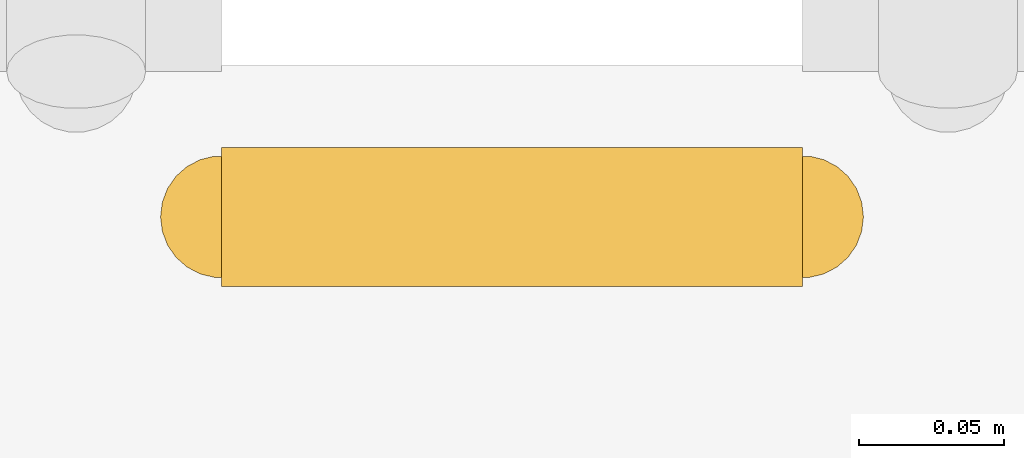
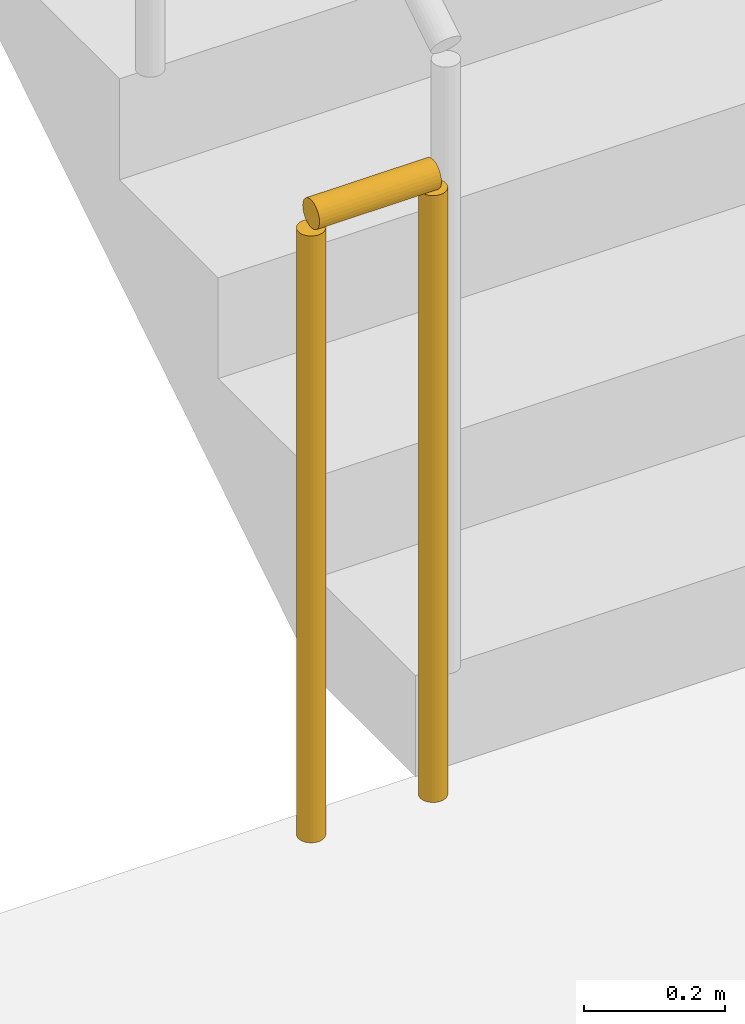
# One storey, part 11 of 22: 1 railing.
"""IFC4 building model written with IfcOpenShell, lengths in metres."""

from ifc_helpers import new_model, si_unit, direction, frame, origin, origin_2d, place, context, subcontext, project, spatial, circle, extrude, material, type_object, element, save


model = new_model("IFC4")

# Units and contexts
model_context = context("Model", 3, precision=1e-05, world=origin(), true_north=direction((0.0, 1.0)))
body_context = subcontext(model_context, "Body", "Model", "MODEL_VIEW")
ifc_project = project(units=[si_unit("LENGTHUNIT", "METRE"), si_unit("AREAUNIT", "SQUARE_METRE"), si_unit("VOLUMEUNIT", "CUBIC_METRE"), si_unit("PLANEANGLEUNIT", "RADIAN"), si_unit("MASSUNIT", "GRAM", prefix="KILO")], contexts=[model_context])

# Site, building, storey
site_placement = place(None, origin())
site = spatial("IfcSite", under=ifc_project, at=site_placement, CompositionType="ELEMENT")
building_placement = place(site_placement, origin())
building = spatial("IfcBuilding", under=site, at=building_placement, Name="Kiln Ring Residences", CompositionType="ELEMENT")
storey_placement = place(building_placement, frame((0.0, 0.0, 164.10009765625)))
storey = spatial("IfcBuildingStorey", under=building, at=storey_placement, Name="L42", CompositionType="ELEMENT", Elevation=164.10009765625)

# Railing
ifc_material = material(Name="Stainless steel", Category="steel")
railing_type = type_object("IfcRailingType", Name="CORE-STAIR-GUARD", PredefinedType="GUARDRAIL", material=ifc_material)
railing_placement = place(storey_placement, frame((-22.0, -8.449951171875, 0.0)))
element("IfcRailing", 1, at=railing_placement, inside=storey, type_object=railing_type, Name="L42 W-STS stair guard 4", PredefinedType="GUARDRAIL", context=body_context, shape_type="SweptSolid", body=[
    extrude(circle(Radius=0.02392578125, at=origin_2d()), frame((0.0, 0.0, 1.076171875), z_axis=(-1.0, 0.0, 0.0), x_axis=(0.0, -1.0, 0.0)), (0.0, 0.0, 1.0), 0.199951171875),
    extrude(circle(Radius=0.02099609375, at=origin_2d()), origin(), (0.0, 0.0, 1.0), 1.052001953125),
    extrude(circle(Radius=0.02099609375, at=origin_2d()), frame((-0.199951171875, 0.0, 0.0)), (0.0, 0.0, 1.0), 1.052001953125),
])

save(model, "model.ifc")
